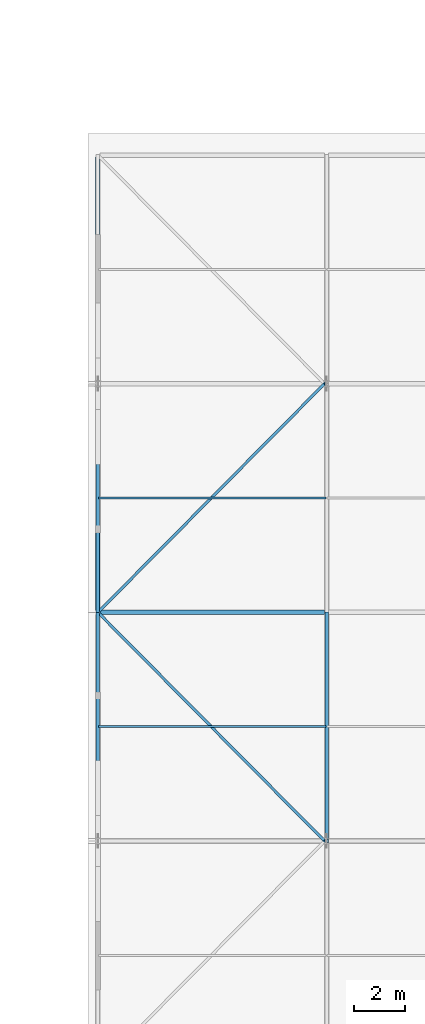
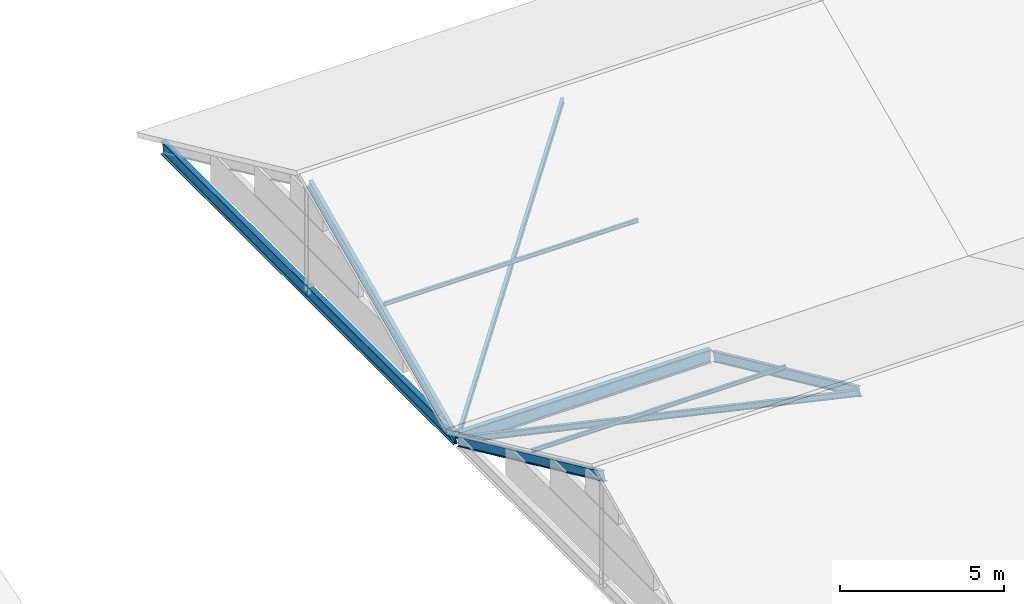
# One storey, part 81 of 163: 7 members, 2 beams.
"""IFC4 building model written with IfcOpenShell, lengths in metres."""

from ifc_helpers import new_model, si_unit, direction, frame, origin, origin_2d, place, context, subcontext, project, spatial, i_section, extrude, material, material_profile, profile_set, type_object, element, save


model = new_model("IFC4")

# Units and contexts
model_context = context("Model", 3, precision=1e-05, world=origin(), true_north=direction((0.0, 1.0)))
body_context = subcontext(model_context, "Body", "Model", "MODEL_VIEW")
ifc_project = project(units=[si_unit("LENGTHUNIT", "METRE"), si_unit("AREAUNIT", "SQUARE_METRE"), si_unit("VOLUMEUNIT", "CUBIC_METRE"), si_unit("PLANEANGLEUNIT", "RADIAN"), si_unit("MASSUNIT", "GRAM", prefix="KILO")], contexts=[model_context])

# Site, building, storey
site_placement = place(None, origin())
site = spatial("IfcSite", under=ifc_project, at=site_placement, CompositionType="ELEMENT")
building_placement = place(site_placement, origin())
building = spatial("IfcBuilding", under=site, at=building_placement, Name="Tharagai Park Tramway Depot", CompositionType="ELEMENT")
storey_placement = place(building_placement, frame((0.0, 0.0, 8.39990234375)))
storey = spatial("IfcBuildingStorey", under=building, at=storey_placement, Name="L02", CompositionType="ELEMENT", Elevation=8.39990234375)

# Beams
ifc_material_1 = material(Name="Steel E350", Category="steel")
ifc_material_profile_1 = material_profile(ifc_material_1, i_section(OverallWidth=0.179931640625, OverallDepth=0.5, WebThickness=0.01025390625, FlangeThickness=0.01708984375, FilletRadius=0.01708984375, at=origin_2d()), Name="ISMB 500")
ifc_profile_set_1 = profile_set([ifc_material_profile_1], Name="Steel E350")
beam_type = type_object("IfcBeamType", Name="BM-18", PredefinedType="BEAM", material=ifc_profile_set_1)
beam_1_placement = place(storey_placement, frame((162.080078125, 117.0, -0.5), z_axis=(1.0, 0.0, 0.0), x_axis=(0.0, 1.0, 0.0)))
element("IfcBeam", 1, at=beam_1_placement, inside=storey, type_object=beam_type, Name="V3B1 Roof Eave Girder BM-18", PredefinedType="BEAM", context=body_context, shape_type="SweptSolid", body=[
    extrude(i_section(OverallWidth=0.179931640625, OverallDepth=0.5, WebThickness=0.01025390625, FlangeThickness=0.01708984375, FilletRadius=0.01708984375, at=origin_2d()), origin(), (0.0, 0.0, 1.0), 8.83984375),
])
beam_2_placement = place(storey_placement, frame((162.0, 117.080078125, -0.5), z_axis=(0.0, 1.0, 0.0), x_axis=(-1.0, 0.0, 0.0)))
element("IfcBeam", 2, at=beam_2_placement, inside=storey, type_object=beam_type, Name="V3B2 Gable Tie Girder BM-18", PredefinedType="BEAM", context=body_context, shape_type="SweptSolid", body=[
    extrude(i_section(OverallWidth=0.179931640625, OverallDepth=0.5, WebThickness=0.01025390625, FlangeThickness=0.01708984375, FilletRadius=0.01708984375, at=origin_2d()), origin(), (0.0, 0.0, 1.0), 17.83984375),
])

# Members
ifc_material_profile_2 = material_profile(ifc_material_1, i_section(OverallWidth=0.110107421875, OverallDepth=0.22509765625, WebThickness=0.006591796875, FlangeThickness=0.01171875, FilletRadius=0.011962890625, at=origin_2d()), Name="ISMB 225")
ifc_profile_set_2 = profile_set([ifc_material_profile_2], Name="Steel E350")
member_type_1 = type_object("IfcMemberType", Name="BR-04", PredefinedType="BRACE", material=ifc_profile_set_2)
for number, where, z_axis, x_axis, name in (
    (3, (162.080078125, 116.919921875, -0.5), (0.670013535157, -0.676083034703, 0.306583745318), (0.710287879152, 0.703911307432, 0.0), "V3B1 Roof Wind Brace BR-04"),
    (4, (162.080078125, 117.080078125, -0.5), (0.670013535157, 0.676083034703, 0.306583745318), (-0.710287879152, 0.703911307432, 0.0), "V3B2 Roof Wind Brace BR-04"),
):
    element("IfcMember", number, at=place(storey_placement, frame(where, z_axis=z_axis, x_axis=x_axis)), inside=storey, type_object=member_type_1, Name=name, PredefinedType="BRACE", context=body_context, shape_type="SweptSolid", body=[
        extrude(i_section(OverallWidth=0.110107421875, OverallDepth=0.22509765625, WebThickness=0.006591796875, FlangeThickness=0.01171875, FilletRadius=0.011962890625, at=origin_2d()), origin(), (0.0, 0.0, 1.0), 13.193603515625),
    ])
ifc_material_2 = material(Name="Steel E250", Category="steel")
ifc_material_profile_3 = material_profile(ifc_material_2, i_section(OverallWidth=0.080078125, OverallDepth=0.14990234375, WebThickness=0.0048828125, FlangeThickness=0.007568359375, FilletRadius=0.009033203125, at=origin_2d()), Name="ISMB 150")
ifc_profile_set_3 = profile_set([ifc_material_profile_3], Name="Steel E250")
member_type_2 = type_object("IfcMemberType", Name="PR-05", PredefinedType="PURLIN", material=ifc_profile_set_3)
for number, where, z_axis, x_axis, name in (
    (5, (162.02001953125, 112.5, 1.77392578125), (1.0, 0.0, 0.0), (0.0, 1.0, 0.0), "V3B1 Roof Purlin PR-05"),
    (6, (162.02001953125, 121.5, 1.77392578125), (1.0, 0.0, 0.0), (0.0, 1.0, 0.0), "V3B2 Roof Purlin PR-05"),
):
    element("IfcMember", number, at=place(storey_placement, frame(where, z_axis=z_axis, x_axis=x_axis)), inside=storey, type_object=member_type_2, Name=name, PredefinedType="PURLIN", context=body_context, shape_type="SweptSolid", body=[
        extrude(i_section(OverallWidth=0.080078125, OverallDepth=0.14990234375, WebThickness=0.0048828125, FlangeThickness=0.007568359375, FilletRadius=0.009033203125, at=origin_2d()), origin(), (0.0, 0.0, 1.0), 8.9599609375),
    ])
ifc_material_profile_4 = material_profile(ifc_material_1, i_section(OverallWidth=0.139892578125, OverallDepth=0.35009765625, WebThickness=0.008056640625, FlangeThickness=0.01416015625, FilletRadius=0.013916015625, at=origin_2d()), Name="ISMB 350")
ifc_profile_set_4 = profile_set([ifc_material_profile_4], Name="Steel E350")
member_type_3 = type_object("IfcMemberType", Name="RF-01", PredefinedType="RAFTER", material=ifc_profile_set_4)
for number, where, z_axis, x_axis, name in (
    (7, (162.0, 108.0, 3.56982421875), (0.0, 0.909083998875, -0.416612869448), (-1.0, 0.0, 0.0), "V3B1 Pitched Rafter RF-01 North"),
    (8, (171.0, 108.0, 3.56982421875), (0.0, 0.909083998875, -0.416612869448), (-1.0, 0.0, 0.0), "V3B1 Pitched Rafter RF-01 North"),
    (9, (162.0, 117.050048828125, -0.53173828125), (0.0, 0.909083998875, 0.416612869448), (-1.0, 0.0, 0.0), "V3B2 Pitched Rafter RF-01 South"),
):
    element("IfcMember", number, at=place(storey_placement, frame(where, z_axis=z_axis, x_axis=x_axis)), inside=storey, type_object=member_type_3, Name=name, PredefinedType="RAFTER", context=body_context, shape_type="SweptSolid", body=[
        extrude(i_section(OverallWidth=0.139892578125, OverallDepth=0.35009765625, WebThickness=0.008056640625, FlangeThickness=0.01416015625, FilletRadius=0.013916015625, at=origin_2d()), origin(), (0.0, 0.0, 1.0), 9.844970703125),
    ])

save(model, "model.ifc")
